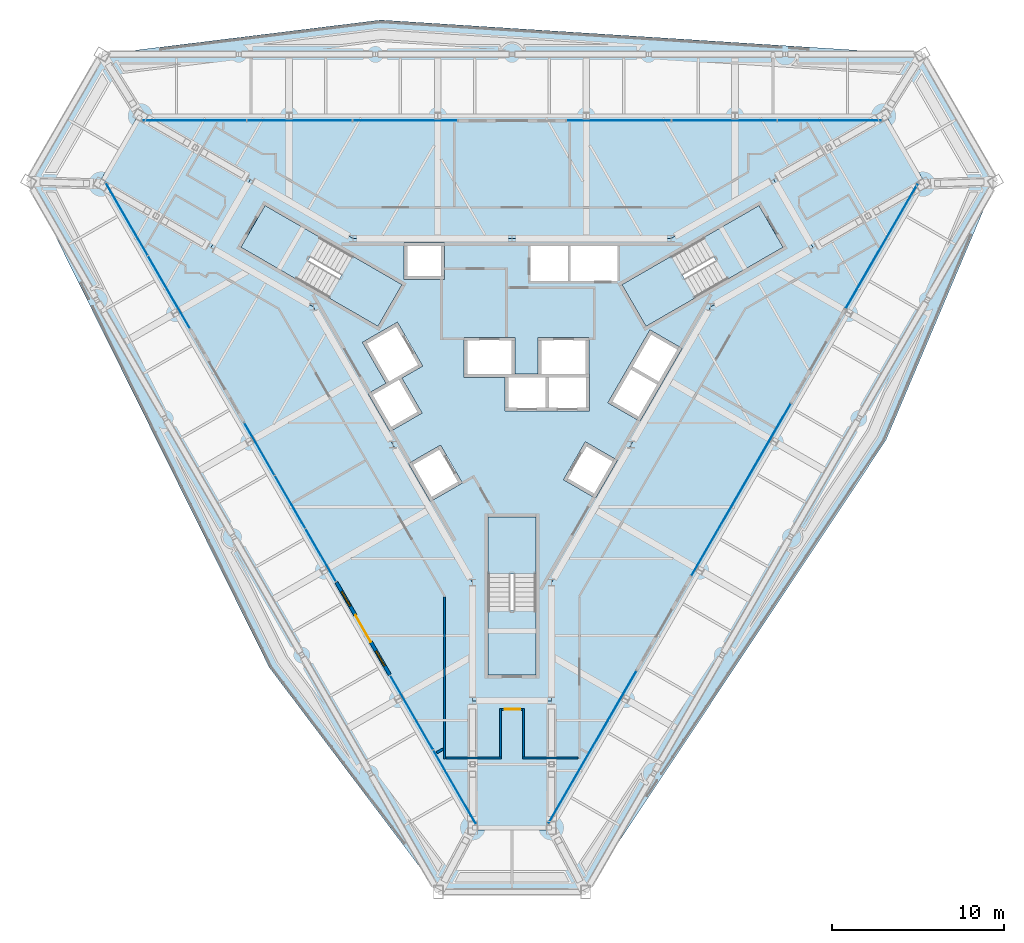
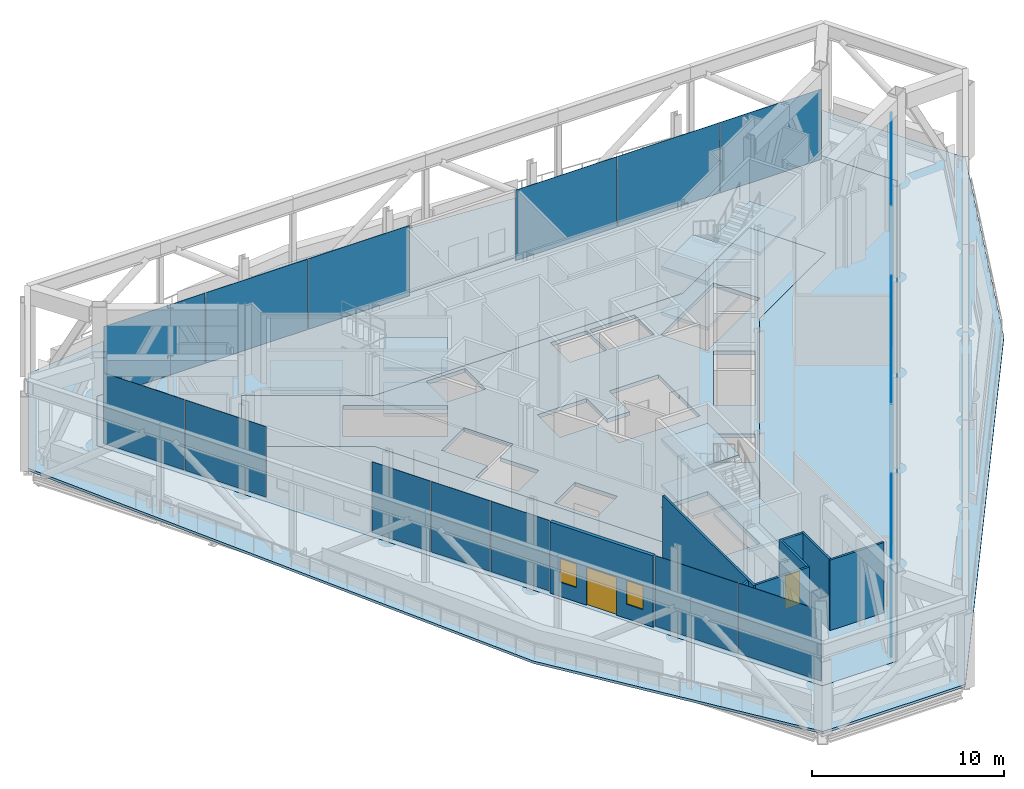
# One storey, part 13 of 24: 16 plates, 12 slabs, 8 walls, 2 doors, 2 windows, 4 openings, 11 elements without a shape of their own.
"""IFC4 building model written with IfcOpenShell, lengths in metres."""

from ifc_helpers import new_model, si_unit, direction, frame, frame_2d, origin, origin_2d, place, context, subcontext, project, spatial, polyline, rectangle, outline, extrude, material, layer, layer_set, type_object, element, fill, aggregate, save


model = new_model("IFC4")

# Units and contexts
model_context = context("Model", 3, precision=1e-05, world=origin(), true_north=direction((0.0, 1.0)))
body_context = subcontext(model_context, "Body", "Model", "MODEL_VIEW")
ifc_project = project(units=[si_unit("LENGTHUNIT", "METRE"), si_unit("AREAUNIT", "SQUARE_METRE"), si_unit("VOLUMEUNIT", "CUBIC_METRE"), si_unit("PLANEANGLEUNIT", "RADIAN"), si_unit("MASSUNIT", "GRAM", prefix="KILO")], contexts=[model_context])

# Site, building, storey
site_placement = place(None, origin())
site = spatial("IfcSite", under=ifc_project, at=site_placement, CompositionType="ELEMENT")
building_placement = place(site_placement, origin())
building = spatial("IfcBuilding", under=site, at=building_placement, Name="Verrane Prism Tower", CompositionType="ELEMENT")
storey_placement = place(building_placement, frame((0.0, 0.0, 200.60009765625)))
storey = spatial("IfcBuildingStorey", under=building, at=storey_placement, Name="L50", CompositionType="ELEMENT", Elevation=200.60009765625)

# Slabs
ifc_material_1 = material(Name="Concrete C35/45", Category="concrete")
ifc_layer_1 = layer(ifc_material_1, 0.159912109375)
ifc_layer_set_1 = layer_set([ifc_layer_1], Name="Composite floor slab")
slab_type_1 = type_object("IfcSlabType", Name="Composite floor slab", PredefinedType="FLOOR", material=ifc_layer_set_1)
slab_1_placement = place(storey_placement, frame((0.0, 0.0, -0.16015625)))
element("IfcSlab", 1, at=slab_1_placement, inside=storey, type_object=slab_type_1, Name="Floor slab L50", PredefinedType="FLOOR", context=body_context, shape_type="SweptSolid", body=[
    extrude(outline(polyline([(-2.244384765625, -26.41455078125), (-23.997802734375, 11.263427734375), (-21.75341796875, 15.15087890625), (21.75341796875, 15.15087890625), (23.997802734375, 11.263427734375), (2.244384765625, -26.41455078125), (-2.244384765625, -26.41455078125)]), holes=[polyline([(15.219970703125, 11.43994140625), (9.260009765625, 8.0), (0.0, 8.0), (-9.260009765625, 8.0), (-15.219970703125, 11.43994140625), (-17.52001953125, 7.4599609375), (-11.56005859375, 4.02001953125), (-6.929931640625, -4.0), (-2.300048828125, -12.02001953125), (-2.300048828125, -18.89990234375), (2.300048828125, -18.89990234375), (2.300048828125, -12.02001953125), (6.929931640625, -4.0), (11.56005859375, 4.02001953125), (17.52001953125, 7.4599609375), (15.219970703125, 11.43994140625)])]), origin(), (0.0, 0.0, 1.0), 0.16015625),
])
ifc_material_2 = material(Name="Concrete C40/50", Category="concrete")
ifc_layer_2 = layer(ifc_material_2, 0.25)
ifc_layer_set_2 = layer_set([ifc_layer_2], Name="Core floor slab 250 concrete C40/50")
slab_type_2 = type_object("IfcSlabType", Name="Core floor slab 250 concrete C40/50", PredefinedType="FLOOR", material=ifc_layer_set_2)
slab_2_placement = place(storey_placement, frame((0.0, 0.0, -0.25)))
element("IfcSlab", 2, at=slab_2_placement, inside=storey, type_object=slab_type_2, Name="Core floor L50", PredefinedType="FLOOR", context=body_context, shape_type="SweptSolid", body=[
    extrude(outline(polyline([(11.56005859375, 4.02001953125), (17.52001953125, 7.4599609375), (15.219970703125, 11.43994140625), (9.260009765625, 8.0), (0.0, 8.0), (-9.260009765625, 8.0), (-15.219970703125, 11.43994140625), (-17.52001953125, 7.4599609375), (-11.56005859375, 4.02001953125), (-6.929931640625, -4.0), (-2.300048828125, -12.02001953125), (-2.300048828125, -18.89990234375), (2.300048828125, -18.89990234375), (2.300048828125, -12.02001953125), (6.929931640625, -4.0), (11.56005859375, 4.02001953125)]), holes=[polyline([(1.39990234375, -8.199951171875), (1.39990234375, -13.639892578125), (-1.39990234375, -13.639892578125), (-1.39990234375, -8.199951171875), (1.39990234375, -8.199951171875)]), polyline([(-2.881103515625, -6.22998046875), (-4.742919921875, -7.304931640625), (-6.01806640625, -5.096923828125), (-4.156005859375, -4.02197265625), (-2.881103515625, -6.22998046875)]), polyline([(-7.801025390625, 2.887939453125), (-12.512939453125, 5.60791015625), (-11.113037109375, 8.031982421875), (-6.40087890625, 5.31201171875), (-7.801025390625, 2.887939453125)]), polyline([(-6.284912109375, 5.610107421875), (-6.284912109375, 7.760009765625), (-3.93505859375, 7.760009765625), (-3.93505859375, 5.610107421875), (-6.284912109375, 5.610107421875)]), polyline([(4.26611328125, -3.8310546875), (6.1279296875, -4.906005859375), (4.85302734375, -7.114990234375), (2.990966796875, -6.0400390625), (4.26611328125, -3.8310546875)]), polyline([(7.43798828125, -2.636962890625), (5.575927734375, -1.56201171875), (8.02587890625, 2.680908203125), (9.887939453125, 1.60595703125), (7.43798828125, -2.636962890625)]), polyline([(0.1650390625, 0.10009765625), (1.52490234375, 0.10009765625), (1.52490234375, 2.25), (4.47509765625, 2.25), (4.47509765625, 0.10009765625), (4.4951171875, 0.10009765625), (4.4951171875, -2.050048828125), (-0.405029296875, -2.050048828125), (-0.405029296875, -0.10009765625), (-2.784912109375, -0.10009765625), (-2.784912109375, 2.25), (0.1650390625, 2.25), (0.1650390625, 0.10009765625)]), polyline([(6.40087890625, 5.31201171875), (11.113037109375, 8.031982421875), (12.512939453125, 5.60791015625), (7.801025390625, 2.887939453125), (6.40087890625, 5.31201171875)]), polyline([(1.074951171875, 5.534912109375), (1.074951171875, 7.56005859375), (3.264892578125, 7.56005859375), (3.264892578125, 5.534912109375), (1.074951171875, 5.534912109375)]), polyline([(3.4150390625, 7.56005859375), (6.125, 7.56005859375), (6.125, 5.534912109375), (3.4150390625, 5.534912109375), (3.4150390625, 7.56005859375)]), polyline([(-5.23095703125, -2.159912109375), (-7.093017578125, -3.235107421875), (-8.367919921875, -1.02587890625), (-7.3291015625, -0.426025390625), (-8.7041015625, 1.955078125), (-6.66796875, 3.1298828125), (-5.193115234375, 0.574951171875), (-6.406005859375, -0.125), (-5.23095703125, -2.159912109375)])]), origin(), (0.0, 0.0, 1.0), 0.25),
])

# Curtain wall, plates
ifc_material_3 = material(Name="Aluminium framed insulated glazing", Category="aluminium")
curtain_wall_type_1 = type_object("IfcCurtainWallType", Name="Curtain wall CW-C 4200 module", PredefinedType="NOTDEFINED", material=ifc_material_3)
curtain_wall_1_placement = place(storey_placement, origin())
curtain_wall_1 = element("IfcCurtainWall", 3, at=curtain_wall_1_placement, inside=storey, type_object=curtain_wall_type_1, Name="Refuge lounge glazing south-west face L50 1", PredefinedType="NOTDEFINED")
ifc_material_4 = material(Name="Low-iron insulating glass unit", Category="glass")
ifc_layer_3 = layer(ifc_material_4, 0.02392578125)
ifc_layer_set_3 = layer_set([ifc_layer_3], Name="Glazing panel IGU 24")
plate_type_1 = type_object("IfcPlateType", Name="Glazing panel IGU 24", PredefinedType="CURTAIN_PANEL", material=ifc_layer_set_3)
plate_1_placement = place(storey_placement, frame((-22.4130859375, 9.118408203125, 0.0498046875), z_axis=(0.0, 0.0, 1.0), x_axis=(0.500002583634, -0.866023912117, 0.0)))
plate_1 = element("IfcPlate", 4, at=plate_1_placement, type_object=plate_type_1, Name="CW50.4.1 panel 1", PredefinedType="CURTAIN_PANEL", context=body_context, shape_type="SweptSolid", body=[
    extrude(rectangle(XDim=4.853759765625, YDim=0.02392578125, at=origin_2d()), origin(), (0.0, 0.0, 1.0), 4.472412109375),
])
plate_2_placement = place(storey_placement, frame((-19.961181640625, 4.871826171875, 0.0498046875), z_axis=(0.0, 0.0, 1.0), x_axis=(0.500002583634, -0.866023912117, 0.0)))
plate_2 = element("IfcPlate", 5, at=plate_2_placement, type_object=plate_type_1, Name="CW50.4.1 panel 2", PredefinedType="CURTAIN_PANEL", context=body_context, shape_type="SweptSolid", body=[
    extrude(rectangle(XDim=4.853759765625, YDim=0.02392578125, at=origin_2d()), origin(), (0.0, 0.0, 1.0), 4.472412109375),
])
aggregate(curtain_wall_1, [plate_1, plate_2])

curtain_wall_2_placement = place(storey_placement, origin())
curtain_wall_2 = element("IfcCurtainWall", 6, at=curtain_wall_2_placement, inside=storey, type_object=curtain_wall_type_1, Name="Refuge lounge glazing south-west face L50 2", PredefinedType="NOTDEFINED")
plate_3_placement = place(storey_placement, frame((-14.6923828125, -4.254150390625, 0.0498046875), z_axis=(0.0, 0.0, 1.0), x_axis=(0.499996213447, -0.866027589941, 0.0)))
plate_3 = element("IfcPlate", 7, at=plate_3_placement, type_object=plate_type_1, Name="CW50.4.2 panel 1", PredefinedType="CURTAIN_PANEL", context=body_context, shape_type="SweptSolid", body=[
    extrude(rectangle(XDim=3.50146484375, YDim=0.02392578125, at=origin_2d()), origin(), (0.0, 0.0, 1.0), 4.472412109375),
])
plate_4_placement = place(storey_placement, frame((-12.910400390625, -7.3408203125, 0.0498046875), z_axis=(0.0, 0.0, 1.0), x_axis=(0.499996213447, -0.866027589941, 0.0)))
plate_4 = element("IfcPlate", 8, at=plate_4_placement, type_object=plate_type_1, Name="CW50.4.2 panel 2", PredefinedType="CURTAIN_PANEL", context=body_context, shape_type="SweptSolid", body=[
    extrude(rectangle(XDim=3.526611328125, YDim=0.02392578125, at=origin_2d()), origin(), (0.0, 0.0, 1.0), 4.472412109375),
])
plate_5_placement = place(storey_placement, frame((-11.128173828125, -10.42724609375, 0.0498046875), z_axis=(0.0, 0.0, 1.0), x_axis=(0.499996213447, -0.866027589941, 0.0)))
plate_5 = element("IfcPlate", 9, at=plate_5_placement, type_object=plate_type_1, Name="CW50.4.2 panel 3", PredefinedType="CURTAIN_PANEL", context=body_context, shape_type="SweptSolid", body=[
    extrude(rectangle(XDim=3.50146484375, YDim=0.02392578125, at=origin_2d()), origin(), (0.0, 0.0, 1.0), 4.472412109375),
])
aggregate(curtain_wall_2, [plate_3, plate_4, plate_5])

curtain_wall_3_placement = place(storey_placement, origin())
curtain_wall_3 = element("IfcCurtainWall", 10, at=curtain_wall_3_placement, inside=storey, type_object=curtain_wall_type_1, Name="Refuge lounge glazing south-west face L50 3", PredefinedType="NOTDEFINED")
plate_6_placement = place(storey_placement, frame((-5.8349609375, -19.595458984375, 0.0498046875), z_axis=(0.0, 0.0, 1.0), x_axis=(0.499996838061, -0.866027229323, 0.0)))
plate_6 = element("IfcPlate", 11, at=plate_6_placement, type_object=plate_type_1, Name="CW50.4.3 panel 1", PredefinedType="CURTAIN_PANEL", context=body_context, shape_type="SweptSolid", body=[
    extrude(rectangle(XDim=4.95166015625, YDim=0.02392578125, at=origin_2d()), origin(), (0.0, 0.0, 1.0), 4.472412109375),
])
plate_7_placement = place(storey_placement, frame((-3.334228515625, -23.927001953125, 0.0498046875), z_axis=(0.0, 0.0, 1.0), x_axis=(0.499996838061, -0.866027229323, 0.0)))
plate_7 = element("IfcPlate", 12, at=plate_7_placement, type_object=plate_type_1, Name="CW50.4.3 panel 2", PredefinedType="CURTAIN_PANEL", context=body_context, shape_type="SweptSolid", body=[
    extrude(rectangle(XDim=4.95166015625, YDim=0.02392578125, at=origin_2d()), origin(), (0.0, 0.0, 1.0), 4.472412109375),
])
aggregate(curtain_wall_3, [plate_6, plate_7])

ifc_material_5 = material(Name="Aluminium framed insulated glazing", Category="aluminium")
curtain_wall_type_2 = type_object("IfcCurtainWallType", Name="Curtain wall CW-B 5600 module", PredefinedType="NOTDEFINED", material=ifc_material_5)
curtain_wall_4_placement = place(storey_placement, origin())
curtain_wall_4 = element("IfcCurtainWall", 13, at=curtain_wall_4_placement, inside=storey, type_object=curtain_wall_type_2, Name="Refuge lounge glazing north face L50 1", PredefinedType="NOTDEFINED")
ifc_material_6 = material(Name="Low-iron insulating glass unit", Category="glass")
ifc_layer_4 = layer(ifc_material_6, 0.028076171875)
ifc_layer_set_4 = layer_set([ifc_layer_4], Name="Glazing panel IGU 28")
plate_type_2 = type_object("IfcPlateType", Name="Glazing panel IGU 28", PredefinedType="CURTAIN_PANEL", material=ifc_layer_set_4)
plate_8_placement = place(storey_placement, frame((18.489990234375, 14.85107421875, 0.059814453125), z_axis=(0.0, 0.0, 1.0), x_axis=(-1.0, 0.0, 0.0)))
plate_8 = element("IfcPlate", 14, at=plate_8_placement, type_object=plate_type_2, Name="CW50.2.1 panel 1", PredefinedType="CURTAIN_PANEL", context=body_context, shape_type="SweptSolid", body=[
    extrude(rectangle(XDim=6.06005859375, YDim=0.028076171875, at=origin_2d()), origin(), (0.0, 0.0, 1.0), 4.46240234375),
])
plate_9_placement = place(storey_placement, frame((12.35498046875, 14.85107421875, 0.059814453125), z_axis=(0.0, 0.0, 1.0), x_axis=(-1.0, 0.0, 0.0)))
plate_9 = element("IfcPlate", 15, at=plate_9_placement, type_object=plate_type_2, Name="CW50.2.1 panel 2", PredefinedType="CURTAIN_PANEL", context=body_context, shape_type="SweptSolid", body=[
    extrude(rectangle(XDim=6.090087890625, YDim=0.028076171875, at=origin_2d()), origin(), (0.0, 0.0, 1.0), 4.46240234375),
])
plate_10_placement = place(storey_placement, frame((6.219970703125, 14.85107421875, 0.059814453125), z_axis=(0.0, 0.0, 1.0), x_axis=(-1.0, 0.0, 0.0)))
plate_10 = element("IfcPlate", 16, at=plate_10_placement, type_object=plate_type_2, Name="CW50.2.1 panel 3", PredefinedType="CURTAIN_PANEL", context=body_context, shape_type="SweptSolid", body=[
    extrude(rectangle(XDim=6.06005859375, YDim=0.028076171875, at=origin_2d()), origin(), (0.0, 0.0, 1.0), 4.46240234375),
])
aggregate(curtain_wall_4, [plate_8, plate_9, plate_10])

curtain_wall_5_placement = place(storey_placement, origin())
curtain_wall_5 = element("IfcCurtainWall", 17, at=curtain_wall_5_placement, inside=storey, type_object=curtain_wall_type_2, Name="Refuge lounge glazing north face L50 2", PredefinedType="NOTDEFINED")
plate_11_placement = place(storey_placement, frame((-6.219970703125, 14.85107421875, 0.059814453125), z_axis=(0.0, 0.0, 1.0), x_axis=(-1.0, 0.0, 0.0)))
plate_11 = element("IfcPlate", 18, at=plate_11_placement, type_object=plate_type_2, Name="CW50.2.2 panel 1", PredefinedType="CURTAIN_PANEL", context=body_context, shape_type="SweptSolid", body=[
    extrude(rectangle(XDim=6.06005859375, YDim=0.028076171875, at=origin_2d()), origin(), (0.0, 0.0, 1.0), 4.46240234375),
])
plate_12_placement = place(storey_placement, frame((-12.35498046875, 14.85107421875, 0.059814453125), z_axis=(0.0, 0.0, 1.0), x_axis=(-1.0, 0.0, 0.0)))
plate_12 = element("IfcPlate", 19, at=plate_12_placement, type_object=plate_type_2, Name="CW50.2.2 panel 2", PredefinedType="CURTAIN_PANEL", context=body_context, shape_type="SweptSolid", body=[
    extrude(rectangle(XDim=6.090087890625, YDim=0.028076171875, at=origin_2d()), origin(), (0.0, 0.0, 1.0), 4.46240234375),
])
plate_13_placement = place(storey_placement, frame((-18.489990234375, 14.85107421875, 0.059814453125), z_axis=(0.0, 0.0, 1.0), x_axis=(-1.0, 0.0, 0.0)))
plate_13 = element("IfcPlate", 20, at=plate_13_placement, type_object=plate_type_2, Name="CW50.2.2 panel 3", PredefinedType="CURTAIN_PANEL", context=body_context, shape_type="SweptSolid", body=[
    extrude(rectangle(XDim=6.06005859375, YDim=0.028076171875, at=origin_2d()), origin(), (0.0, 0.0, 1.0), 4.46240234375),
])
aggregate(curtain_wall_5, [plate_11, plate_12, plate_13])

# Curtain wall, plate
ifc_material_7 = material(Name="Aluminium framed insulated glazing", Category="aluminium")
curtain_wall_type_3 = type_object("IfcCurtainWallType", Name="Curtain wall CW-A 8400 module", PredefinedType="NOTDEFINED", material=ifc_material_7)
curtain_wall_6_placement = place(storey_placement, origin())
curtain_wall_6 = element("IfcCurtainWall", 21, at=curtain_wall_6_placement, inside=storey, type_object=curtain_wall_type_3, Name="Refuge lounge glazing south-east face L50 1", PredefinedType="NOTDEFINED")
ifc_material_8 = material(Name="Low-iron insulating glass unit", Category="glass")
ifc_layer_5 = layer(ifc_material_8, 0.031982421875)
ifc_layer_set_5 = layer_set([ifc_layer_5], Name="Glazing panel IGU 32")
plate_type_3 = type_object("IfcPlateType", Name="Glazing panel IGU 32", PredefinedType="CURTAIN_PANEL", material=ifc_layer_set_5)
plate_14_placement = place(storey_placement, frame((4.671875, -21.610107421875, 0.06982421875), z_axis=(0.0, 0.0, 1.0), x_axis=(0.499996497882, 0.866027425724, 0.0)))
plate_14 = element("IfcPlate", 22, at=plate_14_placement, type_object=plate_type_3, Name="CW50.6.1 panel 1", PredefinedType="CURTAIN_PANEL", context=body_context, shape_type="SweptSolid", body=[
    extrude(rectangle(XDim=10.2626953125, YDim=0.031982421875, at=origin_2d()), origin(), (0.0, 0.0, 1.0), 4.452392578125),
])
aggregate(curtain_wall_6, [plate_14])

curtain_wall_7_placement = place(storey_placement, origin())
curtain_wall_7 = element("IfcCurtainWall", 23, at=curtain_wall_7_placement, inside=storey, type_object=curtain_wall_type_3, Name="Refuge lounge glazing south-east face L50 2", PredefinedType="NOTDEFINED")
plate_15_placement = place(storey_placement, frame((13.327392578125, -6.618408203125, 0.06982421875), z_axis=(0.0, 0.0, 1.0), x_axis=(0.49999844521, 0.866026301441, 0.0)))
plate_15 = element("IfcPlate", 24, at=plate_15_placement, type_object=plate_type_3, Name="CW50.6.2 panel 1", PredefinedType="CURTAIN_PANEL", context=body_context, shape_type="SweptSolid", body=[
    extrude(rectangle(XDim=11.558837890625, YDim=0.031982421875, at=origin_2d()), origin(), (0.0, 0.0, 1.0), 4.452392578125),
])
aggregate(curtain_wall_7, [plate_15])

curtain_wall_8_placement = place(storey_placement, origin())
curtain_wall_8 = element("IfcCurtainWall", 25, at=curtain_wall_8_placement, inside=storey, type_object=curtain_wall_type_3, Name="Refuge lounge glazing south-east face L50 3", PredefinedType="NOTDEFINED")
plate_16_placement = place(storey_placement, frame((21.5166015625, 7.566162109375, 0.06982421875), z_axis=(0.0, 0.0, 1.0), x_axis=(0.499995827409, 0.866027812817, 0.0)))
plate_16 = element("IfcPlate", 26, at=plate_16_placement, type_object=plate_type_3, Name="CW50.6.3 panel 1", PredefinedType="CURTAIN_PANEL", context=body_context, shape_type="SweptSolid", body=[
    extrude(rectangle(XDim=8.39892578125, YDim=0.031982421875, at=origin_2d()), origin(), (0.0, 0.0, 1.0), 4.452392578125),
])
aggregate(curtain_wall_8, [plate_16])

# Slab
ifc_material_9 = material(Name="Concrete C35/45", Category="concrete")
ifc_layer_6 = layer(ifc_material_9, 0.159912109375)
ifc_layer_set_6 = layer_set([ifc_layer_6], Name="Refuge terrace slab")
slab_type_3 = type_object("IfcSlabType", Name="Refuge terrace slab", PredefinedType="FLOOR", material=ifc_layer_set_6)
slab_3_placement = place(storey_placement, frame((0.0, 0.0, -0.16015625)))
element("IfcSlab", 27, at=slab_3_placement, inside=storey, type_object=slab_type_3, Name="Refuge terrace slab L50", PredefinedType="FLOOR", context=body_context, shape_type="SweptSolid", body=[
    extrude(outline(polyline([(4.27490234375, -30.015380859375), (-4.27490234375, -30.015380859375), (-14.118408203125, -16.96630859375), (-28.131591796875, 11.305419921875), (-23.856689453125, 18.7099609375), (-7.634033203125, 20.7099609375), (23.856689453125, 18.7099609375), (28.131591796875, 11.305419921875), (21.75244140625, -3.74365234375), (4.27490234375, -30.015380859375)]), holes=[polyline([(23.997802734375, 11.263427734375), (21.75341796875, 15.15087890625), (-21.75341796875, 15.15087890625), (-23.997802734375, 11.263427734375), (-2.244384765625, -26.41455078125), (2.244384765625, -26.41455078125), (23.997802734375, 11.263427734375)])]), origin(), (0.0, 0.0, 1.0), 0.16015625),
])

# Stair, slabs
ifc_material_10 = material(Name="Concrete C40/50", Category="concrete")
stair_type = type_object("IfcStairType", Name="Exit stair 1300 dog-leg precast concrete C40/50", PredefinedType="HALF_TURN_STAIR", material=ifc_material_10)
stair_1_placement = place(storey_placement, origin())
stair_1 = element("IfcStair", 28, at=stair_1_placement, inside=storey, type_object=stair_type, Name="Stair 1 L50", PredefinedType="HALF_TURN_STAIR")
ifc_material_11 = material(Name="Concrete C40/50", Category="concrete")
ifc_layer_7 = layer(ifc_material_11, 0.199951171875)
ifc_layer_set_7 = layer_set([ifc_layer_7], Name="Stair landing 200 precast concrete C40/50")
slab_type_4 = type_object("IfcSlabType", Name="Stair landing 200 precast concrete C40/50", PredefinedType="LANDING", material=ifc_layer_set_7)
slab_4_placement = place(storey_placement, frame((0.0, 0.0, 1.25)))
slab_4 = element("IfcSlab", 29, at=slab_4_placement, type_object=slab_type_4, Name="Stair 1 landing 1", PredefinedType="LANDING", context=body_context, shape_type="SweptSolid", body=[
    extrude(outline(polyline([(9.276611328125, 6.972412109375), (6.4013671875, 5.3125), (7.801513671875, 2.887451171875), (10.676513671875, 4.547607421875), (9.276611328125, 6.972412109375)])), origin(), (0.0, 0.0, 1.0), 0.199951171875),
])
slab_5_placement = place(storey_placement, frame((0.0, 0.0, 2.699951171875)))
slab_5 = element("IfcSlab", 30, at=slab_5_placement, type_object=slab_type_4, Name="Stair 1 landing 2", PredefinedType="LANDING", context=body_context, shape_type="SweptSolid", body=[
    extrude(outline(polyline([(14.368896484375, 9.912353515625), (11.112548828125, 8.032470703125), (12.5126953125, 5.607666015625), (15.768798828125, 7.487548828125), (14.368896484375, 9.912353515625)])), origin(), (0.0, 0.0, 1.0), 0.199951171875),
])
slab_6_placement = place(storey_placement, frame((0.0, 0.0, 4.14990234375)))
slab_6 = element("IfcSlab", 31, at=slab_6_placement, type_object=slab_type_4, Name="Stair 1 landing 3", PredefinedType="LANDING", context=body_context, shape_type="SweptSolid", body=[
    extrude(outline(polyline([(9.276611328125, 6.972412109375), (6.4013671875, 5.3125), (7.801513671875, 2.887451171875), (10.676513671875, 4.547607421875), (9.276611328125, 6.972412109375)])), origin(), (0.0, 0.0, 1.0), 0.199951171875),
])
aggregate(stair_1, [slab_4, slab_5, slab_6])

stair_2_placement = place(storey_placement, origin())
stair_2 = element("IfcStair", 32, at=stair_2_placement, inside=storey, type_object=stair_type, Name="Stair 2 L50", PredefinedType="HALF_TURN_STAIR")
slab_7_placement = place(storey_placement, frame((0.0, 0.0, 1.25)))
slab_7 = element("IfcSlab", 33, at=slab_7_placement, type_object=slab_type_4, Name="Stair 2 landing 1", PredefinedType="LANDING", context=body_context, shape_type="SweptSolid", body=[
    extrude(outline(polyline([(-10.676513671875, 4.547607421875), (-7.801513671875, 2.887451171875), (-6.4013671875, 5.3125), (-9.276611328125, 6.972412109375), (-10.676513671875, 4.547607421875)])), origin(), (0.0, 0.0, 1.0), 0.199951171875),
])
slab_8_placement = place(storey_placement, frame((0.0, 0.0, 2.699951171875)))
slab_8 = element("IfcSlab", 34, at=slab_8_placement, type_object=slab_type_4, Name="Stair 2 landing 2", PredefinedType="LANDING", context=body_context, shape_type="SweptSolid", body=[
    extrude(outline(polyline([(-15.768798828125, 7.487548828125), (-12.5126953125, 5.607666015625), (-11.112548828125, 8.032470703125), (-14.368896484375, 9.912353515625), (-15.768798828125, 7.487548828125)])), origin(), (0.0, 0.0, 1.0), 0.199951171875),
])
slab_9_placement = place(storey_placement, frame((0.0, 0.0, 4.14990234375)))
slab_9 = element("IfcSlab", 35, at=slab_9_placement, type_object=slab_type_4, Name="Stair 2 landing 3", PredefinedType="LANDING", context=body_context, shape_type="SweptSolid", body=[
    extrude(outline(polyline([(-10.676513671875, 4.547607421875), (-7.801513671875, 2.887451171875), (-6.4013671875, 5.3125), (-9.276611328125, 6.972412109375), (-10.676513671875, 4.547607421875)])), origin(), (0.0, 0.0, 1.0), 0.199951171875),
])
aggregate(stair_2, [slab_7, slab_8, slab_9])

stair_3_placement = place(storey_placement, origin())
stair_3 = element("IfcStair", 36, at=stair_3_placement, inside=storey, type_object=stair_type, Name="Stair 3 L50", PredefinedType="HALF_TURN_STAIR")
slab_10_placement = place(storey_placement, frame((0.0, 0.0, 1.25)))
slab_10 = element("IfcSlab", 37, at=slab_10_placement, type_object=slab_type_4, Name="Stair 3 landing 1", PredefinedType="LANDING", context=body_context, shape_type="SweptSolid", body=[
    extrude(outline(polyline([(1.39990234375, -11.52001953125), (1.39990234375, -8.199951171875), (-1.39990234375, -8.199951171875), (-1.39990234375, -11.52001953125), (1.39990234375, -11.52001953125)])), origin(), (0.0, 0.0, 1.0), 0.199951171875),
])
slab_11_placement = place(storey_placement, frame((0.0, 0.0, 2.699951171875)))
slab_11 = element("IfcSlab", 38, at=slab_11_placement, type_object=slab_type_4, Name="Stair 3 landing 2", PredefinedType="LANDING", context=body_context, shape_type="SweptSolid", body=[
    extrude(outline(polyline([(1.39990234375, -17.39990234375), (1.39990234375, -13.639892578125), (-1.39990234375, -13.639892578125), (-1.39990234375, -17.39990234375), (1.39990234375, -17.39990234375)])), origin(), (0.0, 0.0, 1.0), 0.199951171875),
])
slab_12_placement = place(storey_placement, frame((0.0, 0.0, 4.14990234375)))
slab_12 = element("IfcSlab", 39, at=slab_12_placement, type_object=slab_type_4, Name="Stair 3 landing 3", PredefinedType="LANDING", context=body_context, shape_type="SweptSolid", body=[
    extrude(outline(polyline([(1.39990234375, -11.52001953125), (1.39990234375, -8.199951171875), (-1.39990234375, -8.199951171875), (-1.39990234375, -11.52001953125), (1.39990234375, -11.52001953125)])), origin(), (0.0, 0.0, 1.0), 0.199951171875),
])
aggregate(stair_3, [slab_10, slab_11, slab_12])

# Walls
ifc_material_12 = material(Name="Gypsum board partition", Category="other")
ifc_layer_8 = layer(ifc_material_12, 0.125)
ifc_layer_set_8 = layer_set([ifc_layer_8], Name="PW-125 corridor wall 1 h")
wall_type_1 = type_object("IfcWallType", Name="PW-125 corridor wall 1 h", PredefinedType="PARTITIONING", material=ifc_layer_set_8)
wall_1_placement = place(storey_placement, frame((-3.931884765625, -12.875, 0.0), z_axis=(0.0, 0.0, 1.0), x_axis=(0.001477830899, -0.999998908007, 0.0)))
element("IfcWall", 40, at=wall_1_placement, inside=storey, type_object=wall_type_1, Name="Corridor wall 023", PredefinedType="PARTITIONING", context=body_context, shape_type="SweptSolid", body=[
    extrude(rectangle(XDim=9.41650390625, YDim=0.125, at=frame_2d((4.708251953125, 0.0))), origin(), (0.0, 0.0, 1.0), 4.4619140625),
])
wall_2_placement = place(storey_placement, frame((-3.85302734375, -22.22900390625, 0.0), z_axis=(0.0, 0.0, 1.0), x_axis=(0.999998750648, 0.001580728172, 0.0)))
element("IfcWall", 41, at=wall_2_placement, inside=storey, type_object=wall_type_1, Name="Corridor wall 024", PredefinedType="PARTITIONING", context=body_context, shape_type="SweptSolid", body=[
    extrude(rectangle(XDim=3.243408203125, YDim=0.125, at=frame_2d((1.62158203125, 0.0))), origin(), (0.0, 0.0, 1.0), 4.4619140625),
])
wall_3_placement = place(storey_placement, frame((-0.676025390625, -19.33740234375, 0.0), z_axis=(0.0, 0.0, 1.0), x_axis=(0.001384441003, -0.999999041661, 0.0)))
element("IfcWall", 42, at=wall_3_placement, inside=storey, type_object=wall_type_1, Name="Corridor wall 026", PredefinedType="PARTITIONING", context=body_context, shape_type="SweptSolid", body=[
    extrude(rectangle(XDim=2.821533203125, YDim=0.125, at=frame_2d((1.41064453125, 0.0))), origin(), (0.0, 0.0, 1.0), 4.4619140625),
])

# Wall, opening, door
wall_4_placement = place(storey_placement, frame((0.611083984375, -19.39990234375, 0.0), z_axis=(0.0, 0.0, 1.0), x_axis=(-1.0, 0.0, 0.0)))
wall_4 = element("IfcWall", 43, at=wall_4_placement, inside=storey, type_object=wall_type_1, Name="Corridor wall 027", PredefinedType="PARTITIONING", context=body_context, shape_type="SweptSolid", body=[
    extrude(rectangle(XDim=1.22216796875, YDim=0.125, at=frame_2d((0.611083984375, 0.0))), origin(), (0.0, 0.0, 1.0), 4.4619140625),
])
opening_1_placement = place(wall_4_placement, frame((0.136962890625, 0.0, 0.0)))
opening_1 = element("IfcOpeningElement", 44, at=opening_1_placement, cuts=wall_4, Name="Opening D50006", PredefinedType="OPENING", context=body_context, shape_type="SweptSolid", body=[
    extrude(rectangle(XDim=0.89990234375, YDim=2.10009765625, at=frame_2d((0.449951171875, 1.050048828125))), frame((0.0, 0.072509765625, 0.0), z_axis=(0.0, -1.0, 0.0), x_axis=(1.0, 0.0, 0.0)), (0.0, 0.0, 1.0), 0.14501953125),
])
ifc_material_13 = material(Name="Timber veneered door leaf", Category="wood")
door_type_1 = type_object("IfcDoorType", Name="DR-900x2100 FD60 single leaf unit", OperationType="NOTDEFINED", PredefinedType="DOOR", material=ifc_material_13)
door_1_placement = place(opening_1_placement, origin())
door_1 = element("IfcDoor", 45, at=door_1_placement, inside=storey, type_object=door_type_1, Name="Electrical Switch Room door", OperationType="SINGLE_SWING_LEFT", OverallHeight=2.10009765625, OverallWidth=0.89990234375, PredefinedType="DOOR", context=body_context, shape_type="SweptSolid", body=[
    extrude(rectangle(XDim=0.89990234375, YDim=2.10009765625, at=frame_2d((0.449951171875, 1.050048828125))), frame((0.0, 0.02490234375, 0.0), z_axis=(0.0, -1.0, 0.0), x_axis=(1.0, 0.0, 0.0)), (0.0, 0.0, 1.0), 0.050048828125),
])
fill(opening_1, door_1)

# Walls
wall_5_placement = place(storey_placement, frame((0.672119140625, -22.158935546875, 0.0), z_axis=(0.0, 0.0, 1.0), x_axis=(0.001384441003, 0.999999041661, 0.0)))
element("IfcWall", 46, at=wall_5_placement, inside=storey, type_object=wall_type_1, Name="Corridor wall 028", PredefinedType="PARTITIONING", context=body_context, shape_type="SweptSolid", body=[
    extrude(rectangle(XDim=2.821533203125, YDim=0.125, at=frame_2d((1.41064453125, 0.0))), origin(), (0.0, 0.0, 1.0), 4.4619140625),
])
wall_6_placement = place(storey_placement, frame((0.609619140625, -22.223876953125, 0.0), z_axis=(0.0, 0.0, 1.0), x_axis=(0.999998750648, -0.001580728172, 0.0)))
element("IfcWall", 47, at=wall_6_placement, inside=storey, type_object=wall_type_1, Name="Corridor wall 029", PredefinedType="PARTITIONING", context=body_context, shape_type="SweptSolid", body=[
    extrude(rectangle(XDim=3.243408203125, YDim=0.125, at=frame_2d((1.62158203125, 0.0))), origin(), (0.0, 0.0, 1.0), 4.4619140625),
])
ifc_material_14 = material(Name="Gypsum board partition", Category="other")
ifc_layer_9 = layer(ifc_material_14, 0.14990234375)
ifc_layer_set_9 = layer_set([ifc_layer_9], Name="PW-150 demising wall 1 h")
wall_type_2 = type_object("IfcWallType", Name="PW-150 demising wall 1 h", PredefinedType="PARTITIONING", material=ifc_layer_set_9)
wall_7_placement = place(storey_placement, frame((-4.381591796875, -21.921875, 0.0), z_axis=(0.0, 0.0, 1.0), x_axis=(0.86626321595, 0.499587870841, 0.0)))
element("IfcWall", 48, at=wall_7_placement, inside=storey, type_object=wall_type_2, Name="Demising wall 022", PredefinedType="PARTITIONING", context=body_context, shape_type="SweptSolid", body=[
    extrude(rectangle(XDim=0.418701171875, YDim=0.14990234375, at=frame_2d((0.20947265625, 0.0))), origin(), (0.0, 0.0, 1.0), 4.4619140625),
])

# Wall, openings, door, windows
ifc_material_15 = material(Name="Aluminium framed insulated glazing", Category="aluminium")
ifc_layer_10 = layer(ifc_material_15, 0.199951171875)
ifc_layer_set_10 = layer_set([ifc_layer_10], Name="Refuge screen wall 200")
wall_type_3 = type_object("IfcWallType", Name="Refuge screen wall 200", PredefinedType="SOLIDWALL", material=ifc_layer_set_10)
wall_8_placement = place(storey_placement, frame((-10.212890625, -12.0126953125, 0.0), z_axis=(0.0, 0.0, 1.0), x_axis=(0.500009909098, -0.866019682689, 0.0)))
wall_8 = element("IfcWall", 49, at=wall_8_placement, inside=storey, type_object=wall_type_3, Name="Refuge screen wall south-west face L50", PredefinedType="SOLIDWALL", context=body_context, shape_type="SweptSolid", body=[
    extrude(rectangle(XDim=6.199951171875, YDim=0.199951171875, at=frame_2d((3.10009765625, 0.0))), origin(), (0.0, 0.0, 1.0), 4.522216796875),
])
opening_2_placement = place(wall_8_placement, frame((0.60009765625, 0.0, 0.89990234375)))
opening_2 = element("IfcOpeningElement", 50, at=opening_2_placement, cuts=wall_8, Name="Opening W50705", PredefinedType="OPENING", context=body_context, shape_type="SweptSolid", body=[
    extrude(rectangle(XDim=1.0, YDim=1.5, at=frame_2d((0.5, 0.75))), frame((0.0, 0.10986328125, 0.0), z_axis=(0.0, -1.0, 0.0), x_axis=(1.0, 0.0, 0.0)), (0.0, 0.0, 1.0), 0.219970703125),
])
opening_3_placement = place(wall_8_placement, frame((2.199951171875, 0.0, 0.0)))
opening_3 = element("IfcOpeningElement", 51, at=opening_3_placement, cuts=wall_8, Name="Opening D50703", PredefinedType="OPENING", context=body_context, shape_type="SweptSolid", body=[
    extrude(rectangle(XDim=1.800048828125, YDim=2.39990234375, at=frame_2d((0.89990234375, 1.199951171875))), frame((0.0, 0.10986328125, 0.0), z_axis=(0.0, -1.0, 0.0), x_axis=(1.0, 0.0, 0.0)), (0.0, 0.0, 1.0), 0.219970703125),
])
opening_4_placement = place(wall_8_placement, frame((4.60009765625, 0.0, 0.89990234375)))
opening_4 = element("IfcOpeningElement", 52, at=opening_4_placement, cuts=wall_8, Name="Opening W50706", PredefinedType="OPENING", context=body_context, shape_type="SweptSolid", body=[
    extrude(rectangle(XDim=1.0, YDim=1.5, at=frame_2d((0.5, 0.75))), frame((0.0, 0.10986328125, 0.0), z_axis=(0.0, -1.0, 0.0), x_axis=(1.0, 0.0, 0.0)), (0.0, 0.0, 1.0), 0.219970703125),
])
ifc_material_16 = material(Name="Aluminium framed glazing", Category="aluminium")
door_type_2 = type_object("IfcDoorType", Name="DR-1800x2400 double glazed garden door", OperationType="DOUBLE_DOOR_SINGLE_SWING", PredefinedType="DOOR", material=ifc_material_16)
door_2_placement = place(opening_3_placement, frame((1.800048828125, 0.0, 0.0), z_axis=(0.0, 0.0, 1.0), x_axis=(-1.0, 0.0, 0.0)))
door_2 = element("IfcDoor", 53, at=door_2_placement, inside=storey, type_object=door_type_2, Name="Refuge terrace door D50703", OperationType="DOUBLE_DOOR_SINGLE_SWING", OverallHeight=2.39990234375, OverallWidth=1.800048828125, PredefinedType="DOOR", context=body_context, shape_type="SweptSolid", body=[
    extrude(rectangle(XDim=1.800048828125, YDim=2.39990234375, at=frame_2d((0.89990234375, 1.199951171875))), frame((0.0, 0.02490234375, 0.0), z_axis=(0.0, -1.0, 0.0), x_axis=(1.0, 0.0, 0.0)), (0.0, 0.0, 1.0), 0.050048828125),
])
fill(opening_3, door_2)
ifc_material_17 = material(Name="Aluminium framed glazing", Category="aluminium")
window_type = type_object("IfcWindowType", Name="Vent window 1000x1500 top hung", PartitioningType="SINGLE_PANEL", PredefinedType="WINDOW", material=ifc_material_17)
window_1_placement = place(opening_2_placement, origin())
window_1 = element("IfcWindow", 54, at=window_1_placement, inside=storey, type_object=window_type, Name="Vent window W50705", OverallHeight=1.5, OverallWidth=1.0, PartitioningType="SINGLE_PANEL", PredefinedType="WINDOW", context=body_context, shape_type="SweptSolid", body=[
    extrude(rectangle(XDim=1.0, YDim=1.5, at=frame_2d((0.5, 0.75))), frame((0.0, 0.030029296875, 0.0), z_axis=(0.0, -1.0, 0.0), x_axis=(1.0, 0.0, 0.0)), (0.0, 0.0, 1.0), 0.06005859375),
])
fill(opening_2, window_1)
window_2_placement = place(opening_4_placement, origin())
window_2 = element("IfcWindow", 55, at=window_2_placement, inside=storey, type_object=window_type, Name="Vent window W50706", OverallHeight=1.5, OverallWidth=1.0, PartitioningType="SINGLE_PANEL", PredefinedType="WINDOW", context=body_context, shape_type="SweptSolid", body=[
    extrude(rectangle(XDim=1.0, YDim=1.5, at=frame_2d((0.5, 0.75))), frame((0.0, 0.030029296875, 0.0), z_axis=(0.0, -1.0, 0.0), x_axis=(1.0, 0.0, 0.0)), (0.0, 0.0, 1.0), 0.06005859375),
])
fill(opening_4, window_2)

save(model, "model.ifc")
